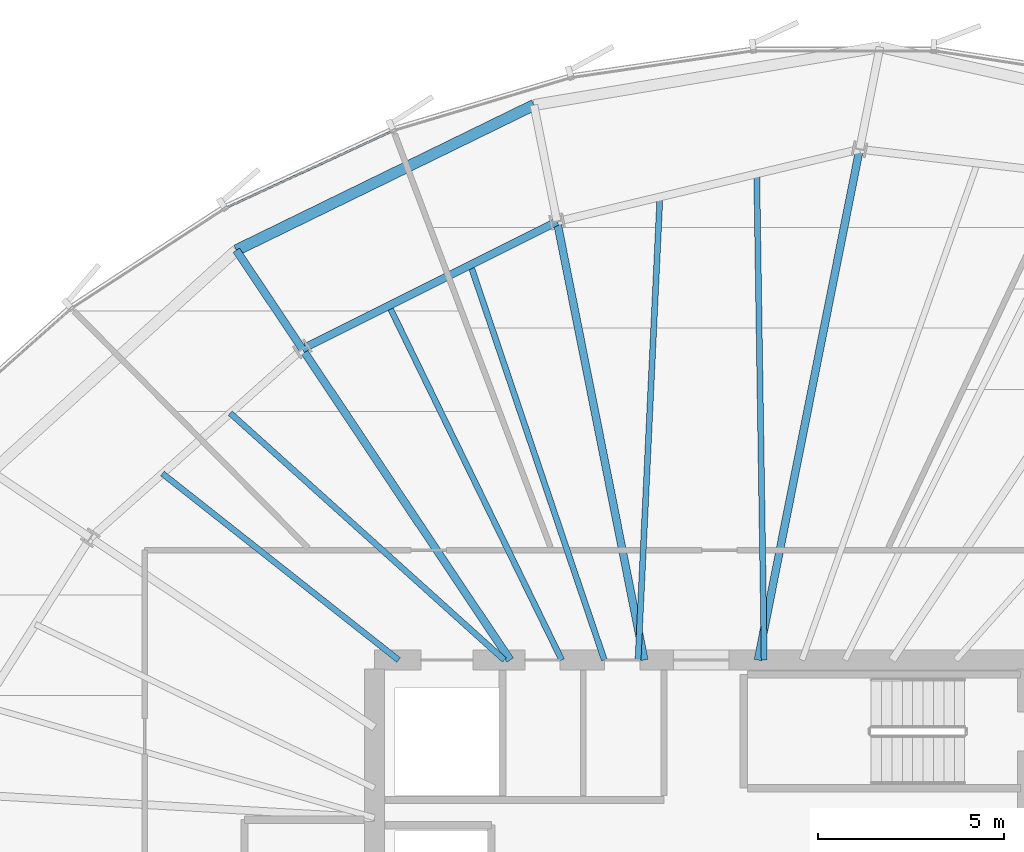
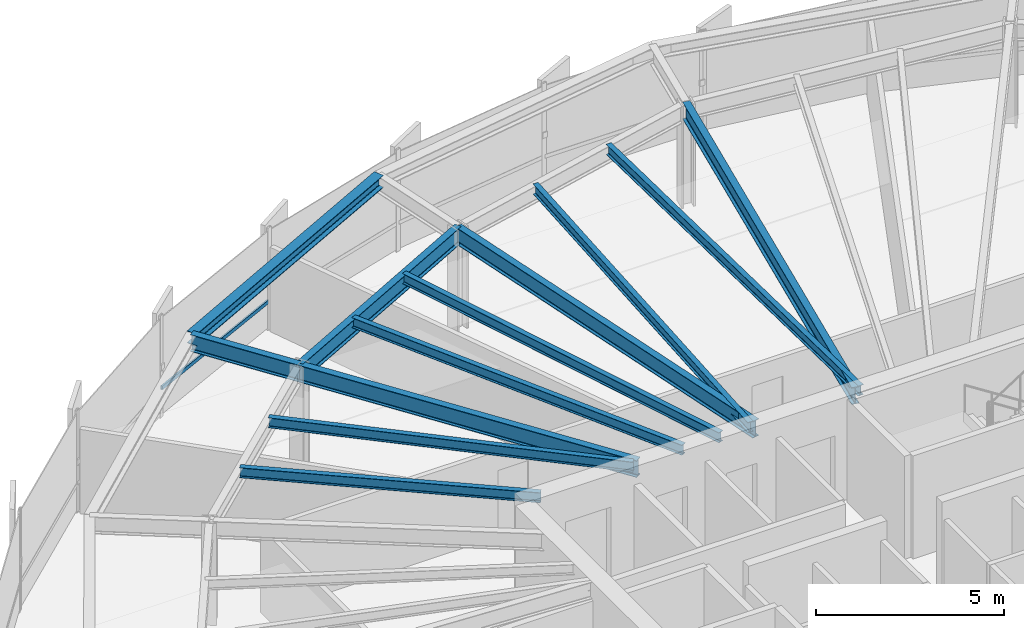
# One storey, part 20 of 33: 12 beams, 1 member, 1 element without a shape of its own.
"""IFC4 building model written with IfcOpenShell, lengths in metres."""

from ifc_helpers import new_model, si_unit, direction, frame, origin, origin_2d, place, context, subcontext, project, spatial, hollow_rectangle, i_section, extrude, source, transform, mapped, material, layer, layer_set, material_profile, profile_set, type_object, element, aggregate, save


model = new_model("IFC4")

# Units and contexts
model_context = context("Model", 3, precision=1e-05, world=origin(), true_north=direction((0.0, 1.0)))
body_context = subcontext(model_context, "Body", "Model", "MODEL_VIEW")
ifc_project = project(units=[si_unit("LENGTHUNIT", "METRE"), si_unit("AREAUNIT", "SQUARE_METRE"), si_unit("VOLUMEUNIT", "CUBIC_METRE"), si_unit("PLANEANGLEUNIT", "RADIAN"), si_unit("MASSUNIT", "GRAM", prefix="KILO"), si_unit("THERMODYNAMICTEMPERATUREUNIT", "KELVIN")], contexts=[model_context])

# Site, building, storey
site_placement = place(None, origin())
site = spatial("IfcSite", under=ifc_project, at=site_placement, CompositionType="ELEMENT")
building_placement = place(site_placement, origin())
building = spatial("IfcBuilding", under=site, at=building_placement, Name="Kethvar Cultural Tower", CompositionType="ELEMENT")
storey_placement = place(building_placement, frame((0.0, 0.0, 118.0)))
storey = spatial("IfcBuildingStorey", under=building, at=storey_placement, Name="L29", CompositionType="ELEMENT", Elevation=118.0)

# Beams
ifc_material_1 = material(Name="Steel S355J2", Category="steel")
ifc_material_profile_1 = material_profile(ifc_material_1, i_section(OverallWidth=0.2099609375, OverallDepth=0.550048828125, WebThickness=0.010986328125, FlangeThickness=0.01708984375, FilletRadius=0.02392578125, at=origin_2d()), Name="Steel S355J2 — IPE550")
ifc_profile_set_1 = profile_set([ifc_material_profile_1], Name="Steel S355J2 — IPE550")
beam_type_1 = type_object("IfcBeamType", Name="BM-IPE550", PredefinedType="BEAM", material=ifc_profile_set_1)
shared_shape_1 = source(origin(), body_context, "Body", "SweptSolid", [
    extrude(i_section(OverallWidth=0.2099609375, OverallDepth=0.550048828125, WebThickness=0.010986328125, FlangeThickness=0.01708984375, FilletRadius=0.02392578125, at=origin_2d()), origin(), (0.0, 0.0, 1.0), 3.2001953125),
])
beam_1_placement = place(storey_placement, frame((36.0576171875, 43.877197265625, 3.072998046875), z_axis=(-0.555544970406, 0.831486491686, 0.0), x_axis=(-0.831486491686, -0.555544970406, 0.0)))
element("IfcBeam", 1, at=beam_1_placement, inside=storey, type_object=beam_type_1, Name="L29 Perimeter Cantilever Beam RC-06", PredefinedType="BEAM", context=body_context, shape_type="MappedRepresentation", body=[
    mapped(shared_shape_1, transform((0.0, 0.0, 0.0), scale=1.0)),
])
shared_shape_2 = source(origin(), body_context, "Body", "SweptSolid", [
    extrude(i_section(OverallWidth=0.2099609375, OverallDepth=0.550048828125, WebThickness=0.010986328125, FlangeThickness=0.01708984375, FilletRadius=0.02392578125, at=origin_2d()), origin(), (0.0, 0.0, 1.0), 14.02880859375),
])
beam_2_placement = place(storey_placement, frame((48.33154296875, 35.5, 3.072998046875), z_axis=(0.195101986683, 0.980782960085, 0.0), x_axis=(-0.980782960085, 0.195101986683, 0.0)))
element("IfcBeam", 2, at=beam_2_placement, inside=storey, type_object=beam_type_1, Name="L29 Primary Radial Beam RB-04", PredefinedType="BEAM", context=body_context, shape_type="MappedRepresentation", body=[
    mapped(shared_shape_2, transform((0.0, 0.0, 0.0), scale=1.0)),
])
shared_shape_3 = source(origin(), body_context, "Body", "SweptSolid", [
    extrude(i_section(OverallWidth=0.2099609375, OverallDepth=0.550048828125, WebThickness=0.010986328125, FlangeThickness=0.01708984375, FilletRadius=0.02392578125, at=origin_2d()), origin(), (0.0, 0.0, 1.0), 12.042724609375),
])
beam_3_placement = place(storey_placement, frame((45.268310546875, 35.5, 3.072998046875), z_axis=(-0.195086784047, 0.980785984142, 0.0), x_axis=(-0.980785984142, -0.195086784047, 0.0)))
element("IfcBeam", 3, at=beam_3_placement, inside=storey, type_object=beam_type_1, Name="L29 Primary Radial Beam RB-05", PredefinedType="BEAM", context=body_context, shape_type="MappedRepresentation", body=[
    mapped(shared_shape_3, transform((0.0, 0.0, 0.0), scale=1.0)),
])
shared_shape_4 = source(origin(), body_context, "Body", "SweptSolid", [
    extrude(i_section(OverallWidth=0.2099609375, OverallDepth=0.550048828125, WebThickness=0.010986328125, FlangeThickness=0.01708984375, FilletRadius=0.02392578125, at=origin_2d()), origin(), (0.0, 0.0, 1.0), 10.0751953125),
])
beam_4_placement = place(storey_placement, frame((41.655029296875, 35.5, 3.072998046875), z_axis=(-0.555566654614, 0.831472003305, 0.0), x_axis=(-0.831472003305, -0.555566654614, 0.0)))
element("IfcBeam", 4, at=beam_4_placement, inside=storey, type_object=beam_type_1, Name="L29 Primary Radial Beam RB-06", PredefinedType="BEAM", context=body_context, shape_type="MappedRepresentation", body=[
    mapped(shared_shape_4, transform((0.0, 0.0, 0.0), scale=1.0)),
])
ifc_material_profile_2 = material_profile(ifc_material_1, i_section(OverallWidth=0.159912109375, OverallDepth=0.330078125, WebThickness=0.007568359375, FlangeThickness=0.011474609375, FilletRadius=0.01806640625, at=origin_2d()), Name="Steel S355J2 — IPE330")
ifc_profile_set_2 = profile_set([ifc_material_profile_2], Name="Steel S355J2 — IPE330")
beam_type_2 = type_object("IfcBeamType", Name="BM-J330", PredefinedType="JOIST", material=ifc_profile_set_2)
shared_shape_5 = source(origin(), body_context, "Body", "SweptSolid", [
    extrude(i_section(OverallWidth=0.159912109375, OverallDepth=0.330078125, WebThickness=0.007568359375, FlangeThickness=0.011474609375, FilletRadius=0.01806640625, at=origin_2d()), origin(), (0.0, 0.0, 1.0), 13.098388671875),
])
beam_5_placement = place(storey_placement, frame((48.5, 35.5, 3.18310546875), z_axis=(-0.015451599057, 0.999880616917, 0.0), x_axis=(-0.999880616917, -0.015451599057, 0.0)))
element("IfcBeam", 5, at=beam_5_placement, inside=storey, type_object=beam_type_2, Name="L29 Composite Floor Joist J-04A", PredefinedType="JOIST", context=body_context, shape_type="MappedRepresentation", body=[
    mapped(shared_shape_5, transform((0.0, 0.0, 0.0), scale=1.0)),
])
shared_shape_6 = source(origin(), body_context, "Body", "SweptSolid", [
    extrude(i_section(OverallWidth=0.159912109375, OverallDepth=0.330078125, WebThickness=0.007568359375, FlangeThickness=0.011474609375, FilletRadius=0.01806640625, at=origin_2d()), origin(), (0.0, 0.0, 1.0), 12.487548828125),
])
beam_6_placement = place(storey_placement, frame((45.10009765625, 35.5, 3.18310546875), z_axis=(0.047214958818, 0.998884751943, 0.0), x_axis=(-0.998884751943, 0.047214958818, 0.0)))
element("IfcBeam", 6, at=beam_6_placement, inside=storey, type_object=beam_type_2, Name="L29 Composite Floor Joist J-04B", PredefinedType="JOIST", context=body_context, shape_type="MappedRepresentation", body=[
    mapped(shared_shape_6, transform((0.0, 0.0, 0.0), scale=1.0)),
])
shared_shape_7 = source(origin(), body_context, "Body", "SweptSolid", [
    extrude(i_section(OverallWidth=0.2099609375, OverallDepth=0.550048828125, WebThickness=0.010986328125, FlangeThickness=0.01708984375, FilletRadius=0.02392578125, at=origin_2d()), origin(), (0.0, 0.0, 1.0), 7.672607421875),
])
beam_7_placement = place(storey_placement, frame((42.9189453125, 47.311279296875, 3.072998046875), z_axis=(-0.894248932057, -0.447569935892, 0.0), x_axis=(0.447569935892, -0.894248932057, 0.0)))
element("IfcBeam", 7, at=beam_7_placement, inside=storey, type_object=beam_type_1, Name="L29 Column Ring Tie Beam CR-05", PredefinedType="BEAM", context=body_context, shape_type="MappedRepresentation", body=[
    mapped(shared_shape_7, transform((0.0, 0.0, 0.0), scale=1.0)),
])
shared_shape_8 = source(origin(), body_context, "Body", "SweptSolid", [
    extrude(i_section(OverallWidth=0.159912109375, OverallDepth=0.330078125, WebThickness=0.007568359375, FlangeThickness=0.011474609375, FilletRadius=0.01806640625, at=origin_2d()), origin(), (0.0, 0.0, 1.0), 11.23779296875),
])
beam_8_placement = place(storey_placement, frame((44.191650390625, 35.5, 3.18310546875), z_axis=(-0.32083186626, 0.94713616423, 0.0), x_axis=(-0.94713616423, -0.32083186626, 0.0)))
element("IfcBeam", 8, at=beam_8_placement, inside=storey, type_object=beam_type_2, Name="L29 Composite Floor Joist J-05A", PredefinedType="JOIST", context=body_context, shape_type="MappedRepresentation", body=[
    mapped(shared_shape_8, transform((0.0, 0.0, 0.0), scale=1.0)),
])
shared_shape_9 = source(origin(), body_context, "Body", "SweptSolid", [
    extrude(i_section(OverallWidth=0.159912109375, OverallDepth=0.330078125, WebThickness=0.007568359375, FlangeThickness=0.011474609375, FilletRadius=0.01806640625, at=origin_2d()), origin(), (0.0, 0.0, 1.0), 10.619384765625),
])
beam_9_placement = place(storey_placement, frame((43.044921875, 35.5, 3.18310546875), z_axis=(-0.438308125028, 0.898824781331, 0.0), x_axis=(-0.898824781331, -0.438308125028, 0.0)))
element("IfcBeam", 9, at=beam_9_placement, inside=storey, type_object=beam_type_2, Name="L29 Composite Floor Joist J-05B", PredefinedType="JOIST", context=body_context, shape_type="MappedRepresentation", body=[
    mapped(shared_shape_9, transform((0.0, 0.0, 0.0), scale=1.0)),
])
shared_shape_10 = source(origin(), body_context, "Body", "SweptSolid", [
    extrude(i_section(OverallWidth=0.159912109375, OverallDepth=0.330078125, WebThickness=0.007568359375, FlangeThickness=0.011474609375, FilletRadius=0.01806640625, at=origin_2d()), origin(), (0.0, 0.0, 1.0), 9.93701171875),
])
beam_10_placement = place(storey_placement, frame((41.5, 35.5, 3.18310546875), z_axis=(-0.743138974967, 0.669137103952, 0.0), x_axis=(-0.669137103952, -0.743138974967, 0.0)))
element("IfcBeam", 10, at=beam_10_placement, inside=storey, type_object=beam_type_2, Name="L29 Composite Floor Joist J-06A", PredefinedType="JOIST", context=body_context, shape_type="MappedRepresentation", body=[
    mapped(shared_shape_10, transform((0.0, 0.0, 0.0), scale=1.0)),
])
shared_shape_11 = source(origin(), body_context, "Body", "SweptSolid", [
    extrude(i_section(OverallWidth=0.159912109375, OverallDepth=0.330078125, WebThickness=0.007568359375, FlangeThickness=0.011474609375, FilletRadius=0.01806640625, at=origin_2d()), origin(), (0.0, 0.0, 1.0), 8.105712890625),
])
beam_11_placement = place(storey_placement, frame((38.64990234375, 35.5, 3.18310546875), z_axis=(-0.784895872164, 0.619627686486, 0.0), x_axis=(-0.619627686486, -0.784895872164, 0.0)))
element("IfcBeam", 11, at=beam_11_placement, inside=storey, type_object=beam_type_2, Name="L29 Composite Floor Joist J-06B", PredefinedType="JOIST", context=body_context, shape_type="MappedRepresentation", body=[
    mapped(shared_shape_11, transform((0.0, 0.0, 0.0), scale=1.0)),
])
ifc_material_profile_3 = material_profile(ifc_material_1, i_section(OverallWidth=0.300048828125, OverallDepth=0.39990234375, WebThickness=0.013427734375, FlangeThickness=0.02392578125, FilletRadius=0.027099609375, at=origin_2d()), Name="Steel S355J2 — HEB400")
ifc_profile_set_3 = profile_set([ifc_material_profile_3], Name="Steel S355J2 — HEB400")
beam_type_3 = type_object("IfcBeamType", Name="BM-SP400", PredefinedType="SPANDREL", material=ifc_profile_set_3)
shared_shape_12 = source(origin(), body_context, "Body", "SweptSolid", [
    extrude(i_section(OverallWidth=0.300048828125, OverallDepth=0.39990234375, WebThickness=0.013427734375, FlangeThickness=0.02392578125, FilletRadius=0.027099609375, at=origin_2d()), origin(), (0.0, 0.0, 1.0), 8.91845703125),
])
beam_12_placement = place(storey_placement, frame((42.294677734375, 50.44970703125, 3.14794921875), z_axis=(-0.898683713341, -0.438597290662, 0.0), x_axis=(0.438597290662, -0.898683713341, 0.0)))
element("IfcBeam", 12, at=beam_12_placement, inside=storey, type_object=beam_type_3, Name="L29 Perimeter Spandrel Beam SP-05", PredefinedType="SPANDREL", context=body_context, shape_type="MappedRepresentation", body=[
    mapped(shared_shape_12, transform((0.0, 0.0, 0.0), scale=1.0)),
])

# Curtain wall, member
ifc_material_2 = material(Name="Aluminium 6063-T6", Category="aluminium")
ifc_layer = layer(ifc_material_2, 0.179931640625, Name="Aluminium 6063-T6", Category="aluminium")
ifc_layer_set = layer_set([ifc_layer], Name="Aluminium 6063-T6 (180 mm)")
curtain_wall_type = type_object("IfcCurtainWallType", Name="CW-SYS-03-Z2", PredefinedType="NOTDEFINED", material=ifc_layer_set)
curtain_wall_placement = place(storey_placement, origin())
curtain_wall = element("IfcCurtainWall", 13, at=curtain_wall_placement, inside=storey, type_object=curtain_wall_type, Name="L29 Curtain Wall Run 02", PredefinedType="NOTDEFINED")
ifc_material_profile_4 = material_profile(ifc_material_2, hollow_rectangle(XDim=0.054931640625, YDim=0.1201171875, WallThickness=0.00390625, at=origin_2d()), Name="Aluminium 6063-T6 — RHS120x55x4")
ifc_profile_set_4 = profile_set([ifc_material_profile_4], Name="Aluminium 6063-T6 — RHS120x55x4")
member_type = type_object("IfcMemberType", Name="CW-SYS-03-Z2-TRN", PredefinedType="USERDEFINED", material=ifc_profile_set_4)
shared_shape_13 = source(origin(), body_context, "Body", "SweptSolid", [
    extrude(hollow_rectangle(XDim=0.054931640625, YDim=0.1201171875, WallThickness=0.00390625, at=origin_2d()), origin(), (0.0, 0.0, 1.0), 4.92333984375),
])
member_placement = place(storey_placement, frame((38.47021484375, 49.7451171875, 0.949951171875), z_axis=(-0.907750278068, -0.419510944633, 0.0), x_axis=(0.419510944633, -0.907750278068, 0.0)))
member = element("IfcMember", 14, at=member_placement, type_object=member_type, Name="CW-L29-R02 Transom 4", ObjectType="TRANSOM", PredefinedType="USERDEFINED", context=body_context, shape_type="MappedRepresentation", body=[
    mapped(shared_shape_13, transform((0.0, 0.0, 0.0), scale=1.0)),
])
aggregate(curtain_wall, [member])

save(model, "model.ifc")
